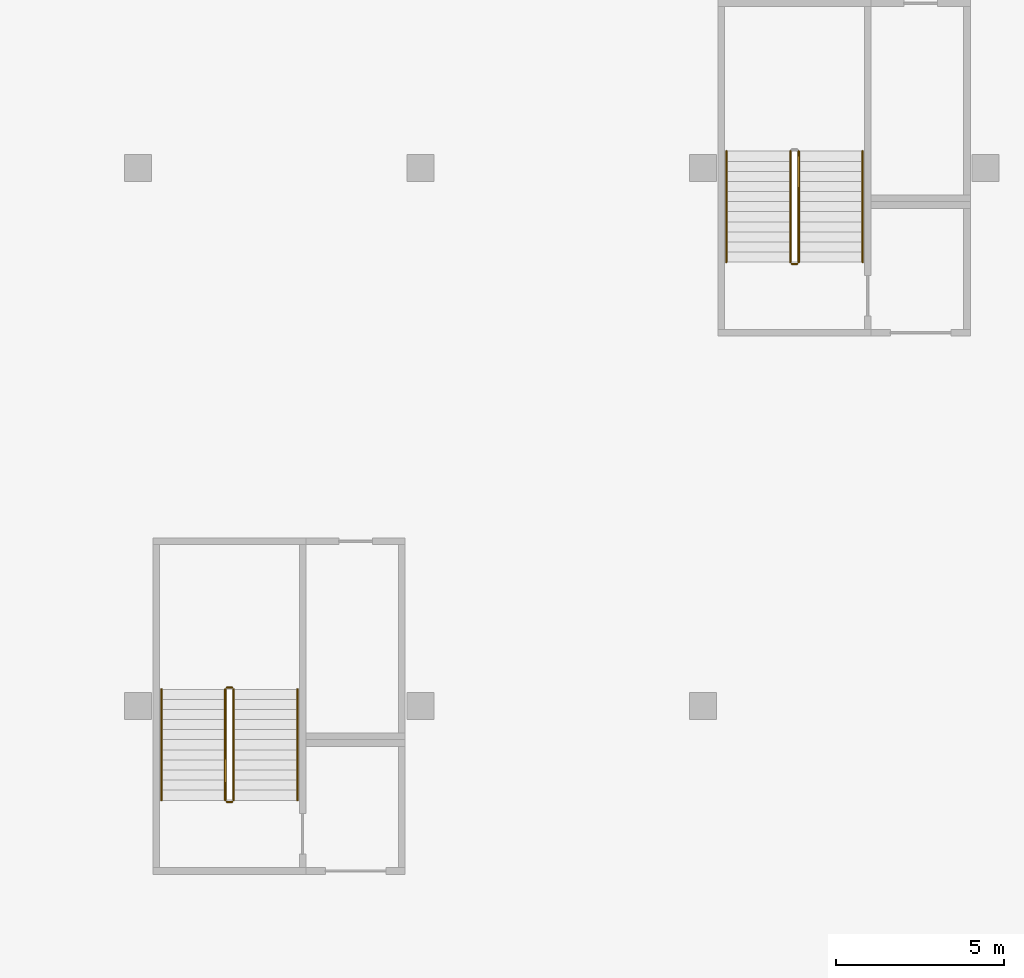
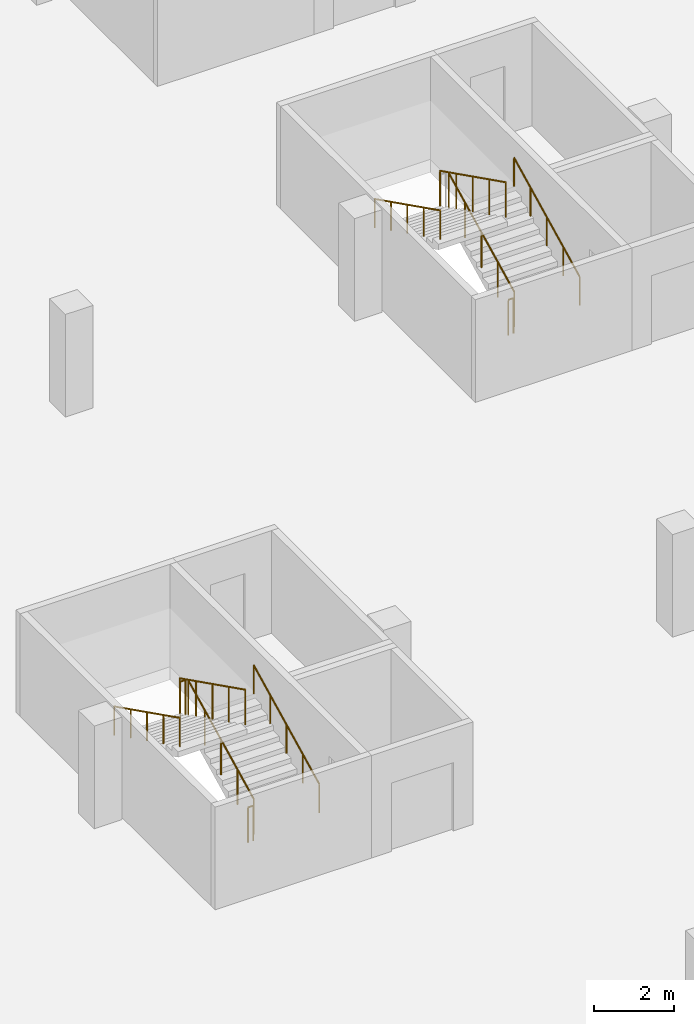
# One storey, part 21 of 37: 11 railings.
"""IFC4 building model written with IfcOpenShell, lengths in metres."""

from ifc_helpers import new_model, si_unit, direction, frame, origin, origin_2d, place, context, subcontext, project, spatial, circle, extrude, material, type_object, element, save


model = new_model("IFC4")

# Units and contexts
model_context = context("Model", 3, precision=1e-05, world=origin(), true_north=direction((0.0, 1.0)))
body_context = subcontext(model_context, "Body", "Model", "MODEL_VIEW")
ifc_project = project(units=[si_unit("LENGTHUNIT", "METRE"), si_unit("AREAUNIT", "SQUARE_METRE"), si_unit("VOLUMEUNIT", "CUBIC_METRE"), si_unit("PLANEANGLEUNIT", "RADIAN"), si_unit("MASSUNIT", "GRAM", prefix="KILO")], contexts=[model_context])

# Site, building, storey
site_placement = place(None, origin())
site = spatial("IfcSite", under=ifc_project, at=site_placement, CompositionType="ELEMENT")
building_placement = place(site_placement, origin())
building = spatial("IfcBuilding", under=site, at=building_placement, Name="Tamra Quay Hotel Tower", CompositionType="ELEMENT")
storey_placement = place(building_placement, frame((0.0, 0.0, -3.60009765625)))
storey = spatial("IfcBuildingStorey", under=building, at=storey_placement, Name="B1", CompositionType="ELEMENT", Elevation=-3.60009765625)

# Railings
ifc_material_1 = material(Name="Basement stair guard 1100")
railing_type_1 = type_object("IfcRailingType", Name="Basement stair guard 1100", PredefinedType="GUARDRAIL", material=ifc_material_1)
railing_1_placement = place(storey_placement, frame((-111.449951171875, -34.800048828125, 0.150146484375)))
element("IfcRailing", 1, at=railing_1_placement, inside=storey, type_object=railing_type_1, Name="BSG", PredefinedType="GUARDRAIL", context=body_context, shape_type="SweptSolid", body=[
    extrude(circle(Radius=0.02392578125, at=origin_2d()), frame((0.0, 0.0, 1.076171875), z_axis=(0.0, 0.894440424912, 0.447187126696), x_axis=(-1.0, 0.0, 0.0)), (0.0, 0.0, 1.0), 3.689453125),
    extrude(circle(Radius=0.02099609375, at=origin_2d()), origin(), (0.0, 0.0, 1.0), 1.052001953125),
    extrude(circle(Radius=0.02099609375, at=origin_2d()), frame((0.0, 0.824951171875, 0.41259765625)), (0.0, 0.0, 1.0), 1.052001953125),
    extrude(circle(Radius=0.02099609375, at=origin_2d()), frame((0.0, 1.64990234375, 0.824951171875)), (0.0, 0.0, 1.0), 1.052001953125),
    extrude(circle(Radius=0.02099609375, at=origin_2d()), frame((0.0, 2.47509765625, 1.2373046875)), (0.0, 0.0, 1.0), 1.052001953125),
    extrude(circle(Radius=0.02099609375, at=origin_2d()), frame((0.0, 3.300048828125, 1.64990234375)), (0.0, 0.0, 1.0), 1.052001953125),
])
railing_2_placement = place(storey_placement, frame((-111.5, -31.449951171875, 1.800048828125)))
element("IfcRailing", 2, at=railing_2_placement, inside=storey, type_object=railing_type_1, Name="BSG", PredefinedType="GUARDRAIL", context=body_context, shape_type="SweptSolid", body=[
    extrude(circle(Radius=0.02392578125, at=origin_2d()), frame((0.0, 0.0, 1.076171875), z_axis=(-1.0, 0.0, 0.0), x_axis=(0.0, -1.0, 0.0)), (0.0, 0.0, 1.0), 0.14990234375),
    extrude(circle(Radius=0.02099609375, at=origin_2d()), origin(), (0.0, 0.0, 1.0), 1.052001953125),
    extrude(circle(Radius=0.02099609375, at=origin_2d()), frame((-0.14990234375, 0.0, 0.0)), (0.0, 0.0, 1.0), 1.052001953125),
])
railing_3_placement = place(storey_placement, frame((-111.699951171875, -31.5, 1.9501953125)))
element("IfcRailing", 3, at=railing_3_placement, inside=storey, type_object=railing_type_1, Name="BSG", PredefinedType="GUARDRAIL", context=body_context, shape_type="SweptSolid", body=[
    extrude(circle(Radius=0.02392578125, at=origin_2d()), frame((0.0, 0.0, 1.076171875), z_axis=(0.0, -0.894440424912, 0.447187126696), x_axis=(1.0, 0.0, 0.0)), (0.0, 0.0, 1.0), 3.689453125),
    extrude(circle(Radius=0.02099609375, at=origin_2d()), origin(), (0.0, 0.0, 1.0), 1.052001953125),
    extrude(circle(Radius=0.02099609375, at=origin_2d()), frame((0.0, -0.824951171875, 0.41259765625)), (0.0, 0.0, 1.0), 1.052001953125),
    extrude(circle(Radius=0.02099609375, at=origin_2d()), frame((0.0, -1.64990234375, 0.824951171875)), (0.0, 0.0, 1.0), 1.052001953125),
    extrude(circle(Radius=0.02099609375, at=origin_2d()), frame((0.0, -2.47509765625, 1.2373046875)), (0.0, 0.0, 1.0), 1.052001953125),
    extrude(circle(Radius=0.02099609375, at=origin_2d()), frame((0.0, -3.300048828125, 1.64990234375)), (0.0, 0.0, 1.0), 1.052001953125),
])
railing_4_placement = place(storey_placement, frame((-111.5, -34.85009765625, 0.0)))
element("IfcRailing", 4, at=railing_4_placement, inside=storey, type_object=railing_type_1, Name="BSG", PredefinedType="GUARDRAIL", context=body_context, shape_type="SweptSolid", body=[
    extrude(circle(Radius=0.02392578125, at=origin_2d()), frame((0.0, 0.0, 1.076171875), z_axis=(-1.0, 0.0, 0.0), x_axis=(0.0, -1.0, 0.0)), (0.0, 0.0, 1.0), 0.14990234375),
    extrude(circle(Radius=0.02099609375, at=origin_2d()), origin(), (0.0, 0.0, 1.0), 1.052001953125),
    extrude(circle(Radius=0.02099609375, at=origin_2d()), frame((-0.14990234375, 0.0, 0.0)), (0.0, 0.0, 1.0), 1.052001953125),
])
railing_5_placement = place(storey_placement, frame((-94.64990234375, -18.800048828125, 0.150146484375)))
element("IfcRailing", 5, at=railing_5_placement, inside=storey, type_object=railing_type_1, Name="BSG", PredefinedType="GUARDRAIL", context=body_context, shape_type="SweptSolid", body=[
    extrude(circle(Radius=0.02392578125, at=origin_2d()), frame((0.0, 0.0, 1.076171875), z_axis=(0.0, 0.894440424912, 0.447187126696), x_axis=(-1.0, 0.0, 0.0)), (0.0, 0.0, 1.0), 3.689453125),
    extrude(circle(Radius=0.02099609375, at=origin_2d()), origin(), (0.0, 0.0, 1.0), 1.052001953125),
    extrude(circle(Radius=0.02099609375, at=origin_2d()), frame((0.0, 0.824951171875, 0.41259765625)), (0.0, 0.0, 1.0), 1.052001953125),
    extrude(circle(Radius=0.02099609375, at=origin_2d()), frame((0.0, 1.64990234375, 0.824951171875)), (0.0, 0.0, 1.0), 1.052001953125),
    extrude(circle(Radius=0.02099609375, at=origin_2d()), frame((0.0, 2.47509765625, 1.2373046875)), (0.0, 0.0, 1.0), 1.052001953125),
    extrude(circle(Radius=0.02099609375, at=origin_2d()), frame((0.0, 3.300048828125, 1.64990234375)), (0.0, 0.0, 1.0), 1.052001953125),
])
railing_6_placement = place(storey_placement, frame((-94.89990234375, -15.5, 1.9501953125)))
element("IfcRailing", 6, at=railing_6_placement, inside=storey, type_object=railing_type_1, Name="BSG", PredefinedType="GUARDRAIL", context=body_context, shape_type="SweptSolid", body=[
    extrude(circle(Radius=0.02392578125, at=origin_2d()), frame((0.0, 0.0, 1.076171875), z_axis=(0.0, -0.894440424912, 0.447187126696), x_axis=(1.0, 0.0, 0.0)), (0.0, 0.0, 1.0), 3.689453125),
    extrude(circle(Radius=0.02099609375, at=origin_2d()), origin(), (0.0, 0.0, 1.0), 1.052001953125),
    extrude(circle(Radius=0.02099609375, at=origin_2d()), frame((0.0, -0.824951171875, 0.41259765625)), (0.0, 0.0, 1.0), 1.052001953125),
    extrude(circle(Radius=0.02099609375, at=origin_2d()), frame((0.0, -1.64990234375, 0.824951171875)), (0.0, 0.0, 1.0), 1.052001953125),
    extrude(circle(Radius=0.02099609375, at=origin_2d()), frame((0.0, -2.47509765625, 1.2373046875)), (0.0, 0.0, 1.0), 1.052001953125),
    extrude(circle(Radius=0.02099609375, at=origin_2d()), frame((0.0, -3.300048828125, 1.64990234375)), (0.0, 0.0, 1.0), 1.052001953125),
])
railing_7_placement = place(storey_placement, frame((-94.699951171875, -18.85009765625, 0.0)))
element("IfcRailing", 7, at=railing_7_placement, inside=storey, type_object=railing_type_1, Name="BSG", PredefinedType="GUARDRAIL", context=body_context, shape_type="SweptSolid", body=[
    extrude(circle(Radius=0.02392578125, at=origin_2d()), frame((0.0, 0.0, 1.076171875), z_axis=(-1.0, 0.0, 0.0), x_axis=(0.0, -1.0, 0.0)), (0.0, 0.0, 1.0), 0.150146484375),
    extrude(circle(Radius=0.02099609375, at=origin_2d()), origin(), (0.0, 0.0, 1.0), 1.052001953125),
    extrude(circle(Radius=0.02099609375, at=origin_2d()), frame((-0.150146484375, 0.0, 0.0)), (0.0, 0.0, 1.0), 1.052001953125),
])
ifc_material_2 = material(Name="Basement stair handrail 900")
railing_type_2 = type_object("IfcRailingType", Name="Basement stair handrail 900", PredefinedType="HANDRAIL", material=ifc_material_2)
railing_8_placement = place(storey_placement, frame((-109.550048828125, -34.800048828125, 0.150146484375)))
element("IfcRailing", 8, at=railing_8_placement, inside=storey, type_object=railing_type_2, Name="BSH", PredefinedType="HANDRAIL", context=body_context, shape_type="SweptSolid", body=[
    extrude(circle(Radius=0.02392578125, at=origin_2d()), frame((0.0, 0.0, 0.8759765625), z_axis=(0.0, 0.894440424912, 0.447187126696), x_axis=(-1.0, 0.0, 0.0)), (0.0, 0.0, 1.0), 3.689453125),
    extrude(circle(Radius=0.02099609375, at=origin_2d()), origin(), (0.0, 0.0, 1.0), 0.851806640625),
    extrude(circle(Radius=0.02099609375, at=origin_2d()), frame((0.0, 0.824951171875, 0.41259765625)), (0.0, 0.0, 1.0), 0.851806640625),
    extrude(circle(Radius=0.02099609375, at=origin_2d()), frame((0.0, 1.64990234375, 0.824951171875)), (0.0, 0.0, 1.0), 0.851806640625),
    extrude(circle(Radius=0.02099609375, at=origin_2d()), frame((0.0, 2.47509765625, 1.2373046875)), (0.0, 0.0, 1.0), 0.851806640625),
    extrude(circle(Radius=0.02099609375, at=origin_2d()), frame((0.0, 3.300048828125, 1.64990234375)), (0.0, 0.0, 1.0), 0.851806640625),
])
railing_9_placement = place(storey_placement, frame((-113.60009765625, -31.5, 1.9501953125)))
element("IfcRailing", 9, at=railing_9_placement, inside=storey, type_object=railing_type_2, Name="BSH", PredefinedType="HANDRAIL", context=body_context, shape_type="SweptSolid", body=[
    extrude(circle(Radius=0.02392578125, at=origin_2d()), frame((0.0, 0.0, 0.8759765625), z_axis=(0.0, -0.894440424912, 0.447187126696), x_axis=(1.0, 0.0, 0.0)), (0.0, 0.0, 1.0), 3.689453125),
    extrude(circle(Radius=0.02099609375, at=origin_2d()), origin(), (0.0, 0.0, 1.0), 0.851806640625),
    extrude(circle(Radius=0.02099609375, at=origin_2d()), frame((0.0, -0.824951171875, 0.41259765625)), (0.0, 0.0, 1.0), 0.851806640625),
    extrude(circle(Radius=0.02099609375, at=origin_2d()), frame((0.0, -1.64990234375, 0.824951171875)), (0.0, 0.0, 1.0), 0.851806640625),
    extrude(circle(Radius=0.02099609375, at=origin_2d()), frame((0.0, -2.47509765625, 1.2373046875)), (0.0, 0.0, 1.0), 0.851806640625),
    extrude(circle(Radius=0.02099609375, at=origin_2d()), frame((0.0, -3.300048828125, 1.64990234375)), (0.0, 0.0, 1.0), 0.851806640625),
])
railing_10_placement = place(storey_placement, frame((-92.75, -18.800048828125, 0.150146484375)))
element("IfcRailing", 10, at=railing_10_placement, inside=storey, type_object=railing_type_2, Name="BSH", PredefinedType="HANDRAIL", context=body_context, shape_type="SweptSolid", body=[
    extrude(circle(Radius=0.02392578125, at=origin_2d()), frame((0.0, 0.0, 0.8759765625), z_axis=(0.0, 0.894440424912, 0.447187126696), x_axis=(-1.0, 0.0, 0.0)), (0.0, 0.0, 1.0), 3.689453125),
    extrude(circle(Radius=0.02099609375, at=origin_2d()), origin(), (0.0, 0.0, 1.0), 0.851806640625),
    extrude(circle(Radius=0.02099609375, at=origin_2d()), frame((0.0, 0.824951171875, 0.41259765625)), (0.0, 0.0, 1.0), 0.851806640625),
    extrude(circle(Radius=0.02099609375, at=origin_2d()), frame((0.0, 1.64990234375, 0.824951171875)), (0.0, 0.0, 1.0), 0.851806640625),
    extrude(circle(Radius=0.02099609375, at=origin_2d()), frame((0.0, 2.47509765625, 1.2373046875)), (0.0, 0.0, 1.0), 0.851806640625),
    extrude(circle(Radius=0.02099609375, at=origin_2d()), frame((0.0, 3.300048828125, 1.64990234375)), (0.0, 0.0, 1.0), 0.851806640625),
])
railing_11_placement = place(storey_placement, frame((-96.800048828125, -15.5, 1.9501953125)))
element("IfcRailing", 11, at=railing_11_placement, inside=storey, type_object=railing_type_2, Name="BSH", PredefinedType="HANDRAIL", context=body_context, shape_type="SweptSolid", body=[
    extrude(circle(Radius=0.02392578125, at=origin_2d()), frame((0.0, 0.0, 0.8759765625), z_axis=(0.0, -0.894440424912, 0.447187126696), x_axis=(1.0, 0.0, 0.0)), (0.0, 0.0, 1.0), 3.689453125),
    extrude(circle(Radius=0.02099609375, at=origin_2d()), origin(), (0.0, 0.0, 1.0), 0.851806640625),
    extrude(circle(Radius=0.02099609375, at=origin_2d()), frame((0.0, -0.824951171875, 0.41259765625)), (0.0, 0.0, 1.0), 0.851806640625),
    extrude(circle(Radius=0.02099609375, at=origin_2d()), frame((0.0, -1.64990234375, 0.824951171875)), (0.0, 0.0, 1.0), 0.851806640625),
    extrude(circle(Radius=0.02099609375, at=origin_2d()), frame((0.0, -2.47509765625, 1.2373046875)), (0.0, 0.0, 1.0), 0.851806640625),
    extrude(circle(Radius=0.02099609375, at=origin_2d()), frame((0.0, -3.300048828125, 1.64990234375)), (0.0, 0.0, 1.0), 0.851806640625),
])

save(model, "model.ifc")
